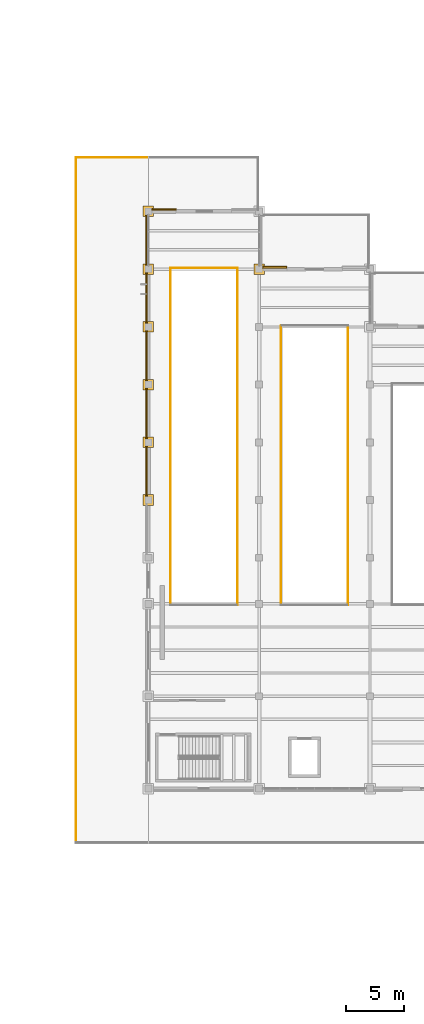
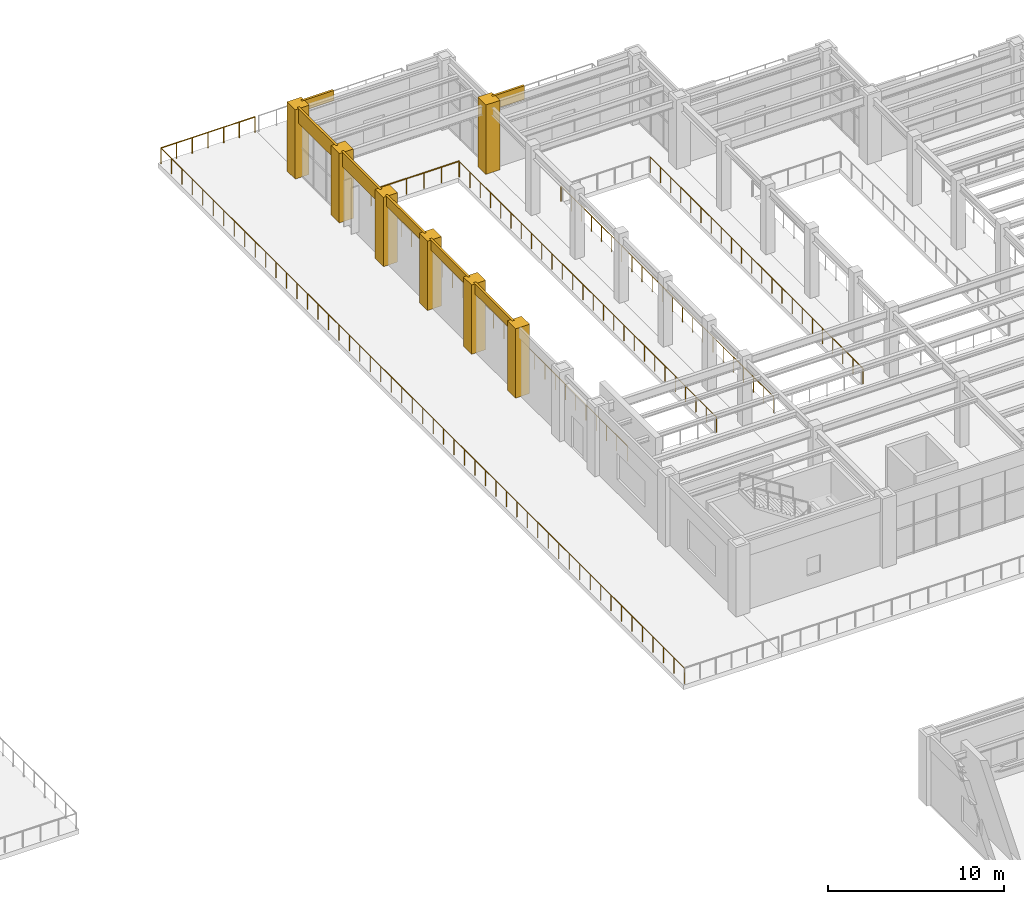
# One storey, part 79 of 83: 14 coverings, 7 railings.
"""IFC4 building model written with IfcOpenShell, lengths in metres."""

from ifc_helpers import new_model, si_unit, direction, frame, origin, origin_2d, place, context, subcontext, project, spatial, polyline, circle, outline, extrude, material, layer, layer_set, type_object, element, save


model = new_model("IFC4")

# Units and contexts
model_context = context("Model", 3, precision=1e-05, world=origin(), true_north=direction((0.0, 1.0)))
body_context = subcontext(model_context, "Body", "Model", "MODEL_VIEW")
ifc_project = project(units=[si_unit("LENGTHUNIT", "METRE"), si_unit("AREAUNIT", "SQUARE_METRE"), si_unit("VOLUMEUNIT", "CUBIC_METRE"), si_unit("PLANEANGLEUNIT", "RADIAN"), si_unit("MASSUNIT", "GRAM", prefix="KILO")], contexts=[model_context])

# Site, building, storey
site_placement = place(None, origin())
site = spatial("IfcSite", under=ifc_project, at=site_placement, CompositionType="ELEMENT")
building_placement = place(site_placement, origin())
building = spatial("IfcBuilding", under=site, at=building_placement, Name="Mavantir Sound Aquarium", CompositionType="ELEMENT")
storey_placement = place(building_placement, frame((0.0, 0.0, 10.5)))
storey = spatial("IfcBuildingStorey", under=building, at=storey_placement, Name="L02", CompositionType="ELEMENT", Elevation=10.5)

# Coverings
ifc_material_1 = material(Name="Honed Coral-Limestone & Glazed Terracotta Rainscreen Cladding", Category="masonry")
ifc_layer = layer(ifc_material_1, 0.06005859375, Name="Honed Coral-Limestone & Glazed Terracotta Rainscreen Cladding")
ifc_layer_set = layer_set([ifc_layer], Name="Honed Coral-Limestone & Glazed Terracotta Rainscreen Cladding")
covering_type = type_object("IfcCoveringType", Name="COV-CLAD-TC", PredefinedType="CLADDING", material=ifc_layer_set)
covering_1_placement = place(storey_placement, frame((0.0, 0.0, 3.862060546875)))
element("IfcCovering", 1, at=covering_1_placement, inside=storey, type_object=covering_type, Name="L02 Postmodern coral-limestone spandrel frieze 353", PredefinedType="CLADDING", context=body_context, shape_type="SweptSolid", body=[
    extrude(outline(polyline([(119.9951171875, 85.889892578125), (117.907958984375, 85.889892578125), (117.907958984375, 86.0400390625), (119.9951171875, 86.0400390625), (119.9951171875, 85.889892578125)])), origin(), (0.0, 0.0, 1.0), 0.93798828125),
])
covering_2_placement = place(storey_placement, frame((0.0, 0.0, 4.097900390625)))
element("IfcCovering", 2, at=covering_2_placement, inside=storey, type_object=covering_type, Name="L02 Postmodern coral-limestone spandrel frieze 356", PredefinedType="CLADDING", context=body_context, shape_type="SweptSolid", body=[
    extrude(outline(polyline([(110.39501953125, 90.889892578125), (108.30810546875, 90.889892578125), (108.30810546875, 91.0400390625), (110.39501953125, 91.0400390625), (110.39501953125, 90.889892578125)])), origin(), (0.0, 0.0, 1.0), 0.7021484375),
])
covering_3_placement = place(storey_placement, frame((0.0, 0.0, 3.7939453125)))
element("IfcCovering", 3, at=covering_3_placement, inside=storey, type_object=covering_type, Name="L02 Postmodern coral-limestone spandrel frieze 357", PredefinedType="CLADDING", context=body_context, shape_type="SweptSolid", body=[
    extrude(outline(polyline([(107.909912109375, 90.491943359375), (107.909912109375, 86.10791015625), (107.760009765625, 86.10791015625), (107.760009765625, 90.491943359375), (107.909912109375, 90.491943359375)])), origin(), (0.0, 0.0, 1.0), 1.006103515625),
])
covering_4_placement = place(storey_placement, frame((0.0, 0.0, 3.7939453125)))
element("IfcCovering", 4, at=covering_4_placement, inside=storey, type_object=covering_type, Name="L02 Postmodern coral-limestone spandrel frieze 358", PredefinedType="CLADDING", context=body_context, shape_type="SweptSolid", body=[
    extrude(outline(polyline([(107.909912109375, 85.491943359375), (107.909912109375, 81.10791015625), (107.760009765625, 81.10791015625), (107.760009765625, 85.491943359375), (107.909912109375, 85.491943359375)])), origin(), (0.0, 0.0, 1.0), 1.006103515625),
])
covering_5_placement = place(storey_placement, frame((0.0, 0.0, 4.10595703125)))
element("IfcCovering", 5, at=covering_5_placement, inside=storey, type_object=covering_type, Name="L02 Postmodern coral-limestone spandrel frieze 359", PredefinedType="CLADDING", context=body_context, shape_type="SweptSolid", body=[
    extrude(outline(polyline([(107.909912109375, 80.491943359375), (107.909912109375, 76.10791015625), (107.760009765625, 76.10791015625), (107.760009765625, 80.491943359375), (107.909912109375, 80.491943359375)])), origin(), (0.0, 0.0, 1.0), 0.694091796875),
])
covering_6_placement = place(storey_placement, frame((0.0, 0.0, 4.10595703125)))
element("IfcCovering", 6, at=covering_6_placement, inside=storey, type_object=covering_type, Name="L02 Postmodern coral-limestone spandrel frieze 360", PredefinedType="CLADDING", context=body_context, shape_type="SweptSolid", body=[
    extrude(outline(polyline([(107.909912109375, 75.491943359375), (107.909912109375, 71.10791015625), (107.760009765625, 71.10791015625), (107.760009765625, 75.491943359375), (107.909912109375, 75.491943359375)])), origin(), (0.0, 0.0, 1.0), 0.694091796875),
])
covering_7_placement = place(storey_placement, frame((0.0, 0.0, 4.10595703125)))
element("IfcCovering", 7, at=covering_7_placement, inside=storey, type_object=covering_type, Name="L02 Postmodern coral-limestone spandrel frieze 361", PredefinedType="CLADDING", context=body_context, shape_type="SweptSolid", body=[
    extrude(outline(polyline([(107.909912109375, 70.491943359375), (107.909912109375, 66.10791015625), (107.760009765625, 66.10791015625), (107.760009765625, 70.491943359375), (107.909912109375, 70.491943359375)])), origin(), (0.0, 0.0, 1.0), 0.694091796875),
])
covering_8_placement = place(storey_placement, origin())
element("IfcCovering", 8, at=covering_8_placement, inside=storey, type_object=covering_type, Name="L02 Postmodern coral-limestone pilaster casing 237", PredefinedType="CLADDING", context=body_context, shape_type="SweptSolid", body=[
    extrude(outline(polyline([(107.5400390625, 65.340087890625), (108.4599609375, 65.340087890625), (108.4599609375, 66.260009765625), (107.5400390625, 66.260009765625), (107.5400390625, 65.340087890625)])), origin(), (0.0, 0.0, 1.0), 4.800048828125),
])
covering_9_placement = place(storey_placement, origin())
element("IfcCovering", 9, at=covering_9_placement, inside=storey, type_object=covering_type, Name="L02 Postmodern coral-limestone pilaster casing 239", PredefinedType="CLADDING", context=body_context, shape_type="SweptSolid", body=[
    extrude(outline(polyline([(107.5400390625, 70.340087890625), (108.4599609375, 70.340087890625), (108.4599609375, 71.260009765625), (107.5400390625, 71.260009765625), (107.5400390625, 70.340087890625)])), origin(), (0.0, 0.0, 1.0), 4.800048828125),
])
covering_10_placement = place(storey_placement, origin())
element("IfcCovering", 10, at=covering_10_placement, inside=storey, type_object=covering_type, Name="L02 Postmodern coral-limestone pilaster casing 241", PredefinedType="CLADDING", context=body_context, shape_type="SweptSolid", body=[
    extrude(outline(polyline([(107.5400390625, 75.340087890625), (108.4599609375, 75.340087890625), (108.4599609375, 76.260009765625), (107.5400390625, 76.260009765625), (107.5400390625, 75.340087890625)])), origin(), (0.0, 0.0, 1.0), 4.800048828125),
])
covering_11_placement = place(storey_placement, origin())
element("IfcCovering", 11, at=covering_11_placement, inside=storey, type_object=covering_type, Name="L02 Postmodern coral-limestone pilaster casing 243", PredefinedType="CLADDING", context=body_context, shape_type="SweptSolid", body=[
    extrude(outline(polyline([(107.5400390625, 80.340087890625), (108.4599609375, 80.340087890625), (108.4599609375, 81.260009765625), (107.5400390625, 81.260009765625), (107.5400390625, 80.340087890625)])), origin(), (0.0, 0.0, 1.0), 4.800048828125),
])
covering_12_placement = place(storey_placement, origin())
element("IfcCovering", 12, at=covering_12_placement, inside=storey, type_object=covering_type, Name="L02 Postmodern coral-limestone pilaster casing 245", PredefinedType="CLADDING", context=body_context, shape_type="SweptSolid", body=[
    extrude(outline(polyline([(107.5400390625, 85.340087890625), (108.4599609375, 85.340087890625), (108.4599609375, 86.260009765625), (107.5400390625, 86.260009765625), (107.5400390625, 85.340087890625)])), origin(), (0.0, 0.0, 1.0), 4.800048828125),
])
covering_13_placement = place(storey_placement, origin())
element("IfcCovering", 13, at=covering_13_placement, inside=storey, type_object=covering_type, Name="L02 Postmodern coral-limestone pilaster casing 247", PredefinedType="CLADDING", context=body_context, shape_type="SweptSolid", body=[
    extrude(outline(polyline([(107.5400390625, 90.340087890625), (108.4599609375, 90.340087890625), (108.4599609375, 91.260009765625), (107.5400390625, 91.260009765625), (107.5400390625, 90.340087890625)])), origin(), (0.0, 0.0, 1.0), 4.800048828125),
])
covering_14_placement = place(storey_placement, origin())
element("IfcCovering", 14, at=covering_14_placement, inside=storey, type_object=covering_type, Name="L02 Postmodern coral-limestone pilaster casing 255", PredefinedType="CLADDING", context=body_context, shape_type="SweptSolid", body=[
    extrude(outline(polyline([(117.139892578125, 85.340087890625), (118.06005859375, 85.340087890625), (118.06005859375, 86.260009765625), (117.139892578125, 86.260009765625), (117.139892578125, 85.340087890625)])), origin(), (0.0, 0.0, 1.0), 4.800048828125),
])

# Railings
ifc_material_2 = material(Name="Stainless Steel 316 and Laminated Glass Guardrail", Category="steel")
railing_type = type_object("IfcRailingType", Name="RL-GUARD-110", PredefinedType="GUARDRAIL", material=ifc_material_2)
railing_1_placement = place(storey_placement, frame((101.719970703125, 36.1201171875, 0.0)))
element("IfcRailing", 15, at=railing_1_placement, inside=storey, type_object=railing_type, Name="L02 terrace W guardrail 36", PredefinedType="GUARDRAIL", context=body_context, shape_type="SweptSolid", body=[
    extrude(circle(Radius=0.02392578125, at=origin_2d()), frame((0.0, 0.0, 1.076171875), z_axis=(0.0, 1.0, 0.0), x_axis=(-1.0, 0.0, 0.0)), (0.0, 0.0, 1.0), 59.35986328125),
    extrude(circle(Radius=0.02099609375, at=origin_2d()), origin(), (0.0, 0.0, 1.0), 1.052001953125),
    extrude(circle(Radius=0.02099609375, at=origin_2d()), frame((0.0, 1.187255859375, 0.0)), (0.0, 0.0, 1.0), 1.052001953125),
    extrude(circle(Radius=0.02099609375, at=origin_2d()), frame((0.0, 2.37451171875, 0.0)), (0.0, 0.0, 1.0), 1.052001953125),
    extrude(circle(Radius=0.02099609375, at=origin_2d()), frame((0.0, 3.5615234375, 0.0)), (0.0, 0.0, 1.0), 1.052001953125),
    extrude(circle(Radius=0.02099609375, at=origin_2d()), frame((0.0, 4.748779296875, 0.0)), (0.0, 0.0, 1.0), 1.052001953125),
    extrude(circle(Radius=0.02099609375, at=origin_2d()), frame((0.0, 5.93603515625, 0.0)), (0.0, 0.0, 1.0), 1.052001953125),
    extrude(circle(Radius=0.02099609375, at=origin_2d()), frame((0.0, 7.123291015625, 0.0)), (0.0, 0.0, 1.0), 1.052001953125),
    extrude(circle(Radius=0.02099609375, at=origin_2d()), frame((0.0, 8.310302734375, 0.0)), (0.0, 0.0, 1.0), 1.052001953125),
    extrude(circle(Radius=0.02099609375, at=origin_2d()), frame((0.0, 9.49755859375, 0.0)), (0.0, 0.0, 1.0), 1.052001953125),
    extrude(circle(Radius=0.02099609375, at=origin_2d()), frame((0.0, 10.684814453125, 0.0)), (0.0, 0.0, 1.0), 1.052001953125),
    extrude(circle(Radius=0.02099609375, at=origin_2d()), frame((0.0, 11.8720703125, 0.0)), (0.0, 0.0, 1.0), 1.052001953125),
    extrude(circle(Radius=0.02099609375, at=origin_2d()), frame((0.0, 13.05908203125, 0.0)), (0.0, 0.0, 1.0), 1.052001953125),
    extrude(circle(Radius=0.02099609375, at=origin_2d()), frame((0.0, 14.246337890625, 0.0)), (0.0, 0.0, 1.0), 1.052001953125),
    extrude(circle(Radius=0.02099609375, at=origin_2d()), frame((0.0, 15.43359375, 0.0)), (0.0, 0.0, 1.0), 1.052001953125),
    extrude(circle(Radius=0.02099609375, at=origin_2d()), frame((0.0, 16.620849609375, 0.0)), (0.0, 0.0, 1.0), 1.052001953125),
    extrude(circle(Radius=0.02099609375, at=origin_2d()), frame((0.0, 17.807861328125, 0.0)), (0.0, 0.0, 1.0), 1.052001953125),
    extrude(circle(Radius=0.02099609375, at=origin_2d()), frame((0.0, 18.9951171875, 0.0)), (0.0, 0.0, 1.0), 1.052001953125),
    extrude(circle(Radius=0.02099609375, at=origin_2d()), frame((0.0, 20.182373046875, 0.0)), (0.0, 0.0, 1.0), 1.052001953125),
    extrude(circle(Radius=0.02099609375, at=origin_2d()), frame((0.0, 21.36962890625, 0.0)), (0.0, 0.0, 1.0), 1.052001953125),
    extrude(circle(Radius=0.02099609375, at=origin_2d()), frame((0.0, 22.556640625, 0.0)), (0.0, 0.0, 1.0), 1.052001953125),
    extrude(circle(Radius=0.02099609375, at=origin_2d()), frame((0.0, 23.743896484375, 0.0)), (0.0, 0.0, 1.0), 1.052001953125),
    extrude(circle(Radius=0.02099609375, at=origin_2d()), frame((0.0, 24.93115234375, 0.0)), (0.0, 0.0, 1.0), 1.052001953125),
    extrude(circle(Radius=0.02099609375, at=origin_2d()), frame((0.0, 26.118408203125, 0.0)), (0.0, 0.0, 1.0), 1.052001953125),
    extrude(circle(Radius=0.02099609375, at=origin_2d()), frame((0.0, 27.305419921875, 0.0)), (0.0, 0.0, 1.0), 1.052001953125),
    extrude(circle(Radius=0.02099609375, at=origin_2d()), frame((0.0, 28.49267578125, 0.0)), (0.0, 0.0, 1.0), 1.052001953125),
    extrude(circle(Radius=0.02099609375, at=origin_2d()), frame((0.0, 29.679931640625, 0.0)), (0.0, 0.0, 1.0), 1.052001953125),
    extrude(circle(Radius=0.02099609375, at=origin_2d()), frame((0.0, 30.8671875, 0.0)), (0.0, 0.0, 1.0), 1.052001953125),
    extrude(circle(Radius=0.02099609375, at=origin_2d()), frame((0.0, 32.054443359375, 0.0)), (0.0, 0.0, 1.0), 1.052001953125),
    extrude(circle(Radius=0.02099609375, at=origin_2d()), frame((0.0, 33.241455078125, 0.0)), (0.0, 0.0, 1.0), 1.052001953125),
    extrude(circle(Radius=0.02099609375, at=origin_2d()), frame((0.0, 34.4287109375, 0.0)), (0.0, 0.0, 1.0), 1.052001953125),
    extrude(circle(Radius=0.02099609375, at=origin_2d()), frame((0.0, 35.615966796875, 0.0)), (0.0, 0.0, 1.0), 1.052001953125),
    extrude(circle(Radius=0.02099609375, at=origin_2d()), frame((0.0, 36.80322265625, 0.0)), (0.0, 0.0, 1.0), 1.052001953125),
    extrude(circle(Radius=0.02099609375, at=origin_2d()), frame((0.0, 37.990234375, 0.0)), (0.0, 0.0, 1.0), 1.052001953125),
    extrude(circle(Radius=0.02099609375, at=origin_2d()), frame((0.0, 39.177490234375, 0.0)), (0.0, 0.0, 1.0), 1.052001953125),
    extrude(circle(Radius=0.02099609375, at=origin_2d()), frame((0.0, 40.36474609375, 0.0)), (0.0, 0.0, 1.0), 1.052001953125),
    extrude(circle(Radius=0.02099609375, at=origin_2d()), frame((0.0, 41.552001953125, 0.0)), (0.0, 0.0, 1.0), 1.052001953125),
    extrude(circle(Radius=0.02099609375, at=origin_2d()), frame((0.0, 42.739013671875, 0.0)), (0.0, 0.0, 1.0), 1.052001953125),
    extrude(circle(Radius=0.02099609375, at=origin_2d()), frame((0.0, 43.92626953125, 0.0)), (0.0, 0.0, 1.0), 1.052001953125),
    extrude(circle(Radius=0.02099609375, at=origin_2d()), frame((0.0, 45.113525390625, 0.0)), (0.0, 0.0, 1.0), 1.052001953125),
    extrude(circle(Radius=0.02099609375, at=origin_2d()), frame((0.0, 46.30078125, 0.0)), (0.0, 0.0, 1.0), 1.052001953125),
    extrude(circle(Radius=0.02099609375, at=origin_2d()), frame((0.0, 47.48779296875, 0.0)), (0.0, 0.0, 1.0), 1.052001953125),
    extrude(circle(Radius=0.02099609375, at=origin_2d()), frame((0.0, 48.675048828125, 0.0)), (0.0, 0.0, 1.0), 1.052001953125),
    extrude(circle(Radius=0.02099609375, at=origin_2d()), frame((0.0, 49.8623046875, 0.0)), (0.0, 0.0, 1.0), 1.052001953125),
    extrude(circle(Radius=0.02099609375, at=origin_2d()), frame((0.0, 51.049560546875, 0.0)), (0.0, 0.0, 1.0), 1.052001953125),
    extrude(circle(Radius=0.02099609375, at=origin_2d()), frame((0.0, 52.236572265625, 0.0)), (0.0, 0.0, 1.0), 1.052001953125),
    extrude(circle(Radius=0.02099609375, at=origin_2d()), frame((0.0, 53.423828125, 0.0)), (0.0, 0.0, 1.0), 1.052001953125),
    extrude(circle(Radius=0.02099609375, at=origin_2d()), frame((0.0, 54.611083984375, 0.0)), (0.0, 0.0, 1.0), 1.052001953125),
    extrude(circle(Radius=0.02099609375, at=origin_2d()), frame((0.0, 55.79833984375, 0.0)), (0.0, 0.0, 1.0), 1.052001953125),
    extrude(circle(Radius=0.02099609375, at=origin_2d()), frame((0.0, 56.9853515625, 0.0)), (0.0, 0.0, 1.0), 1.052001953125),
    extrude(circle(Radius=0.02099609375, at=origin_2d()), frame((0.0, 58.172607421875, 0.0)), (0.0, 0.0, 1.0), 1.052001953125),
    extrude(circle(Radius=0.02099609375, at=origin_2d()), frame((0.0, 59.35986328125, 0.0)), (0.0, 0.0, 1.0), 1.052001953125),
])
railing_2_placement = place(storey_placement, frame((101.719970703125, 95.47998046875, 0.0)))
element("IfcRailing", 16, at=railing_2_placement, inside=storey, type_object=railing_type, Name="L02 terrace N guardrail 38", PredefinedType="GUARDRAIL", context=body_context, shape_type="SweptSolid", body=[
    extrude(circle(Radius=0.02392578125, at=origin_2d()), frame((0.0, 0.0, 1.076171875), z_axis=(1.0, 0.0, 0.0), x_axis=(0.0, 1.0, 0.0)), (0.0, 0.0, 1.0), 6.159912109375),
    extrude(circle(Radius=0.02099609375, at=origin_2d()), origin(), (0.0, 0.0, 1.0), 1.052001953125),
    extrude(circle(Radius=0.02099609375, at=origin_2d()), frame((1.026611328125, 0.0, 0.0)), (0.0, 0.0, 1.0), 1.052001953125),
    extrude(circle(Radius=0.02099609375, at=origin_2d()), frame((2.05322265625, 0.0, 0.0)), (0.0, 0.0, 1.0), 1.052001953125),
    extrude(circle(Radius=0.02099609375, at=origin_2d()), frame((3.080078125, 0.0, 0.0)), (0.0, 0.0, 1.0), 1.052001953125),
    extrude(circle(Radius=0.02099609375, at=origin_2d()), frame((4.106689453125, 0.0, 0.0)), (0.0, 0.0, 1.0), 1.052001953125),
    extrude(circle(Radius=0.02099609375, at=origin_2d()), frame((5.13330078125, 0.0, 0.0)), (0.0, 0.0, 1.0), 1.052001953125),
    extrude(circle(Radius=0.02099609375, at=origin_2d()), frame((6.159912109375, 0.0, 0.0)), (0.0, 0.0, 1.0), 1.052001953125),
])
railing_3_placement = place(storey_placement, frame((115.699951171875, 56.699951171875, 0.0)))
element("IfcRailing", 17, at=railing_3_placement, inside=storey, type_object=railing_type, Name="L02 atrium void E guardrail 128", PredefinedType="GUARDRAIL", context=body_context, shape_type="SweptSolid", body=[
    extrude(circle(Radius=0.02392578125, at=origin_2d()), frame((0.0, 0.0, 1.076171875), z_axis=(0.0, 1.0, 0.0), x_axis=(-1.0, 0.0, 0.0)), (0.0, 0.0, 1.0), 29.1201171875),
    extrude(circle(Radius=0.02099609375, at=origin_2d()), origin(), (0.0, 0.0, 1.0), 1.052001953125),
    extrude(circle(Radius=0.02099609375, at=origin_2d()), frame((0.0, 1.164794921875, 0.0)), (0.0, 0.0, 1.0), 1.052001953125),
    extrude(circle(Radius=0.02099609375, at=origin_2d()), frame((0.0, 2.32958984375, 0.0)), (0.0, 0.0, 1.0), 1.052001953125),
    extrude(circle(Radius=0.02099609375, at=origin_2d()), frame((0.0, 3.494384765625, 0.0)), (0.0, 0.0, 1.0), 1.052001953125),
    extrude(circle(Radius=0.02099609375, at=origin_2d()), frame((0.0, 4.6591796875, 0.0)), (0.0, 0.0, 1.0), 1.052001953125),
    extrude(circle(Radius=0.02099609375, at=origin_2d()), frame((0.0, 5.823974609375, 0.0)), (0.0, 0.0, 1.0), 1.052001953125),
    extrude(circle(Radius=0.02099609375, at=origin_2d()), frame((0.0, 6.98876953125, 0.0)), (0.0, 0.0, 1.0), 1.052001953125),
    extrude(circle(Radius=0.02099609375, at=origin_2d()), frame((0.0, 8.153564453125, 0.0)), (0.0, 0.0, 1.0), 1.052001953125),
    extrude(circle(Radius=0.02099609375, at=origin_2d()), frame((0.0, 9.318359375, 0.0)), (0.0, 0.0, 1.0), 1.052001953125),
    extrude(circle(Radius=0.02099609375, at=origin_2d()), frame((0.0, 10.483154296875, 0.0)), (0.0, 0.0, 1.0), 1.052001953125),
    extrude(circle(Radius=0.02099609375, at=origin_2d()), frame((0.0, 11.64794921875, 0.0)), (0.0, 0.0, 1.0), 1.052001953125),
    extrude(circle(Radius=0.02099609375, at=origin_2d()), frame((0.0, 12.812744140625, 0.0)), (0.0, 0.0, 1.0), 1.052001953125),
    extrude(circle(Radius=0.02099609375, at=origin_2d()), frame((0.0, 13.9775390625, 0.0)), (0.0, 0.0, 1.0), 1.052001953125),
    extrude(circle(Radius=0.02099609375, at=origin_2d()), frame((0.0, 15.142578125, 0.0)), (0.0, 0.0, 1.0), 1.052001953125),
    extrude(circle(Radius=0.02099609375, at=origin_2d()), frame((0.0, 16.307373046875, 0.0)), (0.0, 0.0, 1.0), 1.052001953125),
    extrude(circle(Radius=0.02099609375, at=origin_2d()), frame((0.0, 17.47216796875, 0.0)), (0.0, 0.0, 1.0), 1.052001953125),
    extrude(circle(Radius=0.02099609375, at=origin_2d()), frame((0.0, 18.636962890625, 0.0)), (0.0, 0.0, 1.0), 1.052001953125),
    extrude(circle(Radius=0.02099609375, at=origin_2d()), frame((0.0, 19.8017578125, 0.0)), (0.0, 0.0, 1.0), 1.052001953125),
    extrude(circle(Radius=0.02099609375, at=origin_2d()), frame((0.0, 20.966552734375, 0.0)), (0.0, 0.0, 1.0), 1.052001953125),
    extrude(circle(Radius=0.02099609375, at=origin_2d()), frame((0.0, 22.13134765625, 0.0)), (0.0, 0.0, 1.0), 1.052001953125),
    extrude(circle(Radius=0.02099609375, at=origin_2d()), frame((0.0, 23.296142578125, 0.0)), (0.0, 0.0, 1.0), 1.052001953125),
    extrude(circle(Radius=0.02099609375, at=origin_2d()), frame((0.0, 24.4609375, 0.0)), (0.0, 0.0, 1.0), 1.052001953125),
    extrude(circle(Radius=0.02099609375, at=origin_2d()), frame((0.0, 25.625732421875, 0.0)), (0.0, 0.0, 1.0), 1.052001953125),
    extrude(circle(Radius=0.02099609375, at=origin_2d()), frame((0.0, 26.79052734375, 0.0)), (0.0, 0.0, 1.0), 1.052001953125),
    extrude(circle(Radius=0.02099609375, at=origin_2d()), frame((0.0, 27.955322265625, 0.0)), (0.0, 0.0, 1.0), 1.052001953125),
    extrude(circle(Radius=0.02099609375, at=origin_2d()), frame((0.0, 29.1201171875, 0.0)), (0.0, 0.0, 1.0), 1.052001953125),
])
railing_4_placement = place(storey_placement, frame((115.699951171875, 85.89990234375, 0.0)))
element("IfcRailing", 18, at=railing_4_placement, inside=storey, type_object=railing_type, Name="L02 atrium void N guardrail 129", PredefinedType="GUARDRAIL", context=body_context, shape_type="SweptSolid", body=[
    extrude(circle(Radius=0.02392578125, at=origin_2d()), frame((0.0, 0.0, 1.076171875), z_axis=(-1.0, 0.0, 0.0), x_axis=(0.0, -1.0, 0.0)), (0.0, 0.0, 1.0), 5.719970703125),
    extrude(circle(Radius=0.02099609375, at=origin_2d()), origin(), (0.0, 0.0, 1.0), 1.052001953125),
    extrude(circle(Radius=0.02099609375, at=origin_2d()), frame((-1.14404296875, 0.0, 0.0)), (0.0, 0.0, 1.0), 1.052001953125),
    extrude(circle(Radius=0.02099609375, at=origin_2d()), frame((-2.2880859375, 0.0, 0.0)), (0.0, 0.0, 1.0), 1.052001953125),
    extrude(circle(Radius=0.02099609375, at=origin_2d()), frame((-3.431884765625, 0.0, 0.0)), (0.0, 0.0, 1.0), 1.052001953125),
    extrude(circle(Radius=0.02099609375, at=origin_2d()), frame((-4.575927734375, 0.0, 0.0)), (0.0, 0.0, 1.0), 1.052001953125),
    extrude(circle(Radius=0.02099609375, at=origin_2d()), frame((-5.719970703125, 0.0, 0.0)), (0.0, 0.0, 1.0), 1.052001953125),
])
railing_5_placement = place(storey_placement, frame((109.89990234375, 85.89990234375, 0.0)))
element("IfcRailing", 19, at=railing_5_placement, inside=storey, type_object=railing_type, Name="L02 atrium void W guardrail 130", PredefinedType="GUARDRAIL", context=body_context, shape_type="SweptSolid", body=[
    extrude(circle(Radius=0.02392578125, at=origin_2d()), frame((0.0, 0.0, 1.076171875), z_axis=(0.0, -1.0, 0.0), x_axis=(1.0, 0.0, 0.0)), (0.0, 0.0, 1.0), 29.119873046875),
    extrude(circle(Radius=0.02099609375, at=origin_2d()), origin(), (0.0, 0.0, 1.0), 1.052001953125),
    extrude(circle(Radius=0.02099609375, at=origin_2d()), frame((0.0, -1.164794921875, 0.0)), (0.0, 0.0, 1.0), 1.052001953125),
    extrude(circle(Radius=0.02099609375, at=origin_2d()), frame((0.0, -2.32958984375, 0.0)), (0.0, 0.0, 1.0), 1.052001953125),
    extrude(circle(Radius=0.02099609375, at=origin_2d()), frame((0.0, -3.494384765625, 0.0)), (0.0, 0.0, 1.0), 1.052001953125),
    extrude(circle(Radius=0.02099609375, at=origin_2d()), frame((0.0, -4.6591796875, 0.0)), (0.0, 0.0, 1.0), 1.052001953125),
    extrude(circle(Radius=0.02099609375, at=origin_2d()), frame((0.0, -5.823974609375, 0.0)), (0.0, 0.0, 1.0), 1.052001953125),
    extrude(circle(Radius=0.02099609375, at=origin_2d()), frame((0.0, -6.98876953125, 0.0)), (0.0, 0.0, 1.0), 1.052001953125),
    extrude(circle(Radius=0.02099609375, at=origin_2d()), frame((0.0, -8.153564453125, 0.0)), (0.0, 0.0, 1.0), 1.052001953125),
    extrude(circle(Radius=0.02099609375, at=origin_2d()), frame((0.0, -9.318359375, 0.0)), (0.0, 0.0, 1.0), 1.052001953125),
    extrude(circle(Radius=0.02099609375, at=origin_2d()), frame((0.0, -10.483154296875, 0.0)), (0.0, 0.0, 1.0), 1.052001953125),
    extrude(circle(Radius=0.02099609375, at=origin_2d()), frame((0.0, -11.64794921875, 0.0)), (0.0, 0.0, 1.0), 1.052001953125),
    extrude(circle(Radius=0.02099609375, at=origin_2d()), frame((0.0, -12.812744140625, 0.0)), (0.0, 0.0, 1.0), 1.052001953125),
    extrude(circle(Radius=0.02099609375, at=origin_2d()), frame((0.0, -13.9775390625, 0.0)), (0.0, 0.0, 1.0), 1.052001953125),
    extrude(circle(Radius=0.02099609375, at=origin_2d()), frame((0.0, -15.142333984375, 0.0)), (0.0, 0.0, 1.0), 1.052001953125),
    extrude(circle(Radius=0.02099609375, at=origin_2d()), frame((0.0, -16.30712890625, 0.0)), (0.0, 0.0, 1.0), 1.052001953125),
    extrude(circle(Radius=0.02099609375, at=origin_2d()), frame((0.0, -17.471923828125, 0.0)), (0.0, 0.0, 1.0), 1.052001953125),
    extrude(circle(Radius=0.02099609375, at=origin_2d()), frame((0.0, -18.63671875, 0.0)), (0.0, 0.0, 1.0), 1.052001953125),
    extrude(circle(Radius=0.02099609375, at=origin_2d()), frame((0.0, -19.801513671875, 0.0)), (0.0, 0.0, 1.0), 1.052001953125),
    extrude(circle(Radius=0.02099609375, at=origin_2d()), frame((0.0, -20.96630859375, 0.0)), (0.0, 0.0, 1.0), 1.052001953125),
    extrude(circle(Radius=0.02099609375, at=origin_2d()), frame((0.0, -22.131103515625, 0.0)), (0.0, 0.0, 1.0), 1.052001953125),
    extrude(circle(Radius=0.02099609375, at=origin_2d()), frame((0.0, -23.2958984375, 0.0)), (0.0, 0.0, 1.0), 1.052001953125),
    extrude(circle(Radius=0.02099609375, at=origin_2d()), frame((0.0, -24.460693359375, 0.0)), (0.0, 0.0, 1.0), 1.052001953125),
    extrude(circle(Radius=0.02099609375, at=origin_2d()), frame((0.0, -25.62548828125, 0.0)), (0.0, 0.0, 1.0), 1.052001953125),
    extrude(circle(Radius=0.02099609375, at=origin_2d()), frame((0.0, -26.790283203125, 0.0)), (0.0, 0.0, 1.0), 1.052001953125),
    extrude(circle(Radius=0.02099609375, at=origin_2d()), frame((0.0, -27.955078125, 0.0)), (0.0, 0.0, 1.0), 1.052001953125),
    extrude(circle(Radius=0.02099609375, at=origin_2d()), frame((0.0, -29.119873046875, 0.0)), (0.0, 0.0, 1.0), 1.052001953125),
])
railing_6_placement = place(storey_placement, frame((125.300048828125, 56.699951171875, 0.0)))
element("IfcRailing", 20, at=railing_6_placement, inside=storey, type_object=railing_type, Name="L02 atrium void E guardrail 132", PredefinedType="GUARDRAIL", context=body_context, shape_type="SweptSolid", body=[
    extrude(circle(Radius=0.02392578125, at=origin_2d()), frame((0.0, 0.0, 1.076171875), z_axis=(0.0, 1.0, 0.0), x_axis=(-1.0, 0.0, 0.0)), (0.0, 0.0, 1.0), 24.1201171875),
    extrude(circle(Radius=0.02099609375, at=origin_2d()), origin(), (0.0, 0.0, 1.0), 1.052001953125),
    extrude(circle(Radius=0.02099609375, at=origin_2d()), frame((0.0, 1.148681640625, 0.0)), (0.0, 0.0, 1.0), 1.052001953125),
    extrude(circle(Radius=0.02099609375, at=origin_2d()), frame((0.0, 2.297119140625, 0.0)), (0.0, 0.0, 1.0), 1.052001953125),
    extrude(circle(Radius=0.02099609375, at=origin_2d()), frame((0.0, 3.44580078125, 0.0)), (0.0, 0.0, 1.0), 1.052001953125),
    extrude(circle(Radius=0.02099609375, at=origin_2d()), frame((0.0, 4.59423828125, 0.0)), (0.0, 0.0, 1.0), 1.052001953125),
    extrude(circle(Radius=0.02099609375, at=origin_2d()), frame((0.0, 5.742919921875, 0.0)), (0.0, 0.0, 1.0), 1.052001953125),
    extrude(circle(Radius=0.02099609375, at=origin_2d()), frame((0.0, 6.891357421875, 0.0)), (0.0, 0.0, 1.0), 1.052001953125),
    extrude(circle(Radius=0.02099609375, at=origin_2d()), frame((0.0, 8.0400390625, 0.0)), (0.0, 0.0, 1.0), 1.052001953125),
    extrude(circle(Radius=0.02099609375, at=origin_2d()), frame((0.0, 9.188720703125, 0.0)), (0.0, 0.0, 1.0), 1.052001953125),
    extrude(circle(Radius=0.02099609375, at=origin_2d()), frame((0.0, 10.337158203125, 0.0)), (0.0, 0.0, 1.0), 1.052001953125),
    extrude(circle(Radius=0.02099609375, at=origin_2d()), frame((0.0, 11.48583984375, 0.0)), (0.0, 0.0, 1.0), 1.052001953125),
    extrude(circle(Radius=0.02099609375, at=origin_2d()), frame((0.0, 12.63427734375, 0.0)), (0.0, 0.0, 1.0), 1.052001953125),
    extrude(circle(Radius=0.02099609375, at=origin_2d()), frame((0.0, 13.782958984375, 0.0)), (0.0, 0.0, 1.0), 1.052001953125),
    extrude(circle(Radius=0.02099609375, at=origin_2d()), frame((0.0, 14.931396484375, 0.0)), (0.0, 0.0, 1.0), 1.052001953125),
    extrude(circle(Radius=0.02099609375, at=origin_2d()), frame((0.0, 16.080078125, 0.0)), (0.0, 0.0, 1.0), 1.052001953125),
    extrude(circle(Radius=0.02099609375, at=origin_2d()), frame((0.0, 17.228759765625, 0.0)), (0.0, 0.0, 1.0), 1.052001953125),
    extrude(circle(Radius=0.02099609375, at=origin_2d()), frame((0.0, 18.377197265625, 0.0)), (0.0, 0.0, 1.0), 1.052001953125),
    extrude(circle(Radius=0.02099609375, at=origin_2d()), frame((0.0, 19.52587890625, 0.0)), (0.0, 0.0, 1.0), 1.052001953125),
    extrude(circle(Radius=0.02099609375, at=origin_2d()), frame((0.0, 20.67431640625, 0.0)), (0.0, 0.0, 1.0), 1.052001953125),
    extrude(circle(Radius=0.02099609375, at=origin_2d()), frame((0.0, 21.822998046875, 0.0)), (0.0, 0.0, 1.0), 1.052001953125),
    extrude(circle(Radius=0.02099609375, at=origin_2d()), frame((0.0, 22.971435546875, 0.0)), (0.0, 0.0, 1.0), 1.052001953125),
    extrude(circle(Radius=0.02099609375, at=origin_2d()), frame((0.0, 24.1201171875, 0.0)), (0.0, 0.0, 1.0), 1.052001953125),
])
railing_7_placement = place(storey_placement, frame((119.5, 80.89990234375, 0.0)))
element("IfcRailing", 21, at=railing_7_placement, inside=storey, type_object=railing_type, Name="L02 atrium void W guardrail 134", PredefinedType="GUARDRAIL", context=body_context, shape_type="SweptSolid", body=[
    extrude(circle(Radius=0.02392578125, at=origin_2d()), frame((0.0, 0.0, 1.076171875), z_axis=(0.0, -1.0, 0.0), x_axis=(1.0, 0.0, 0.0)), (0.0, 0.0, 1.0), 24.119873046875),
    extrude(circle(Radius=0.02099609375, at=origin_2d()), origin(), (0.0, 0.0, 1.0), 1.052001953125),
    extrude(circle(Radius=0.02099609375, at=origin_2d()), frame((0.0, -1.148681640625, 0.0)), (0.0, 0.0, 1.0), 1.052001953125),
    extrude(circle(Radius=0.02099609375, at=origin_2d()), frame((0.0, -2.297119140625, 0.0)), (0.0, 0.0, 1.0), 1.052001953125),
    extrude(circle(Radius=0.02099609375, at=origin_2d()), frame((0.0, -3.44580078125, 0.0)), (0.0, 0.0, 1.0), 1.052001953125),
    extrude(circle(Radius=0.02099609375, at=origin_2d()), frame((0.0, -4.59423828125, 0.0)), (0.0, 0.0, 1.0), 1.052001953125),
    extrude(circle(Radius=0.02099609375, at=origin_2d()), frame((0.0, -5.742919921875, 0.0)), (0.0, 0.0, 1.0), 1.052001953125),
    extrude(circle(Radius=0.02099609375, at=origin_2d()), frame((0.0, -6.891357421875, 0.0)), (0.0, 0.0, 1.0), 1.052001953125),
    extrude(circle(Radius=0.02099609375, at=origin_2d()), frame((0.0, -8.0400390625, 0.0)), (0.0, 0.0, 1.0), 1.052001953125),
    extrude(circle(Radius=0.02099609375, at=origin_2d()), frame((0.0, -9.1884765625, 0.0)), (0.0, 0.0, 1.0), 1.052001953125),
    extrude(circle(Radius=0.02099609375, at=origin_2d()), frame((0.0, -10.337158203125, 0.0)), (0.0, 0.0, 1.0), 1.052001953125),
    extrude(circle(Radius=0.02099609375, at=origin_2d()), frame((0.0, -11.485595703125, 0.0)), (0.0, 0.0, 1.0), 1.052001953125),
    extrude(circle(Radius=0.02099609375, at=origin_2d()), frame((0.0, -12.63427734375, 0.0)), (0.0, 0.0, 1.0), 1.052001953125),
    extrude(circle(Radius=0.02099609375, at=origin_2d()), frame((0.0, -13.78271484375, 0.0)), (0.0, 0.0, 1.0), 1.052001953125),
    extrude(circle(Radius=0.02099609375, at=origin_2d()), frame((0.0, -14.931396484375, 0.0)), (0.0, 0.0, 1.0), 1.052001953125),
    extrude(circle(Radius=0.02099609375, at=origin_2d()), frame((0.0, -16.079833984375, 0.0)), (0.0, 0.0, 1.0), 1.052001953125),
    extrude(circle(Radius=0.02099609375, at=origin_2d()), frame((0.0, -17.228515625, 0.0)), (0.0, 0.0, 1.0), 1.052001953125),
    extrude(circle(Radius=0.02099609375, at=origin_2d()), frame((0.0, -18.376953125, 0.0)), (0.0, 0.0, 1.0), 1.052001953125),
    extrude(circle(Radius=0.02099609375, at=origin_2d()), frame((0.0, -19.525634765625, 0.0)), (0.0, 0.0, 1.0), 1.052001953125),
    extrude(circle(Radius=0.02099609375, at=origin_2d()), frame((0.0, -20.674072265625, 0.0)), (0.0, 0.0, 1.0), 1.052001953125),
    extrude(circle(Radius=0.02099609375, at=origin_2d()), frame((0.0, -21.82275390625, 0.0)), (0.0, 0.0, 1.0), 1.052001953125),
    extrude(circle(Radius=0.02099609375, at=origin_2d()), frame((0.0, -22.97119140625, 0.0)), (0.0, 0.0, 1.0), 1.052001953125),
    extrude(circle(Radius=0.02099609375, at=origin_2d()), frame((0.0, -24.119873046875, 0.0)), (0.0, 0.0, 1.0), 1.052001953125),
])

save(model, "model.ifc")
